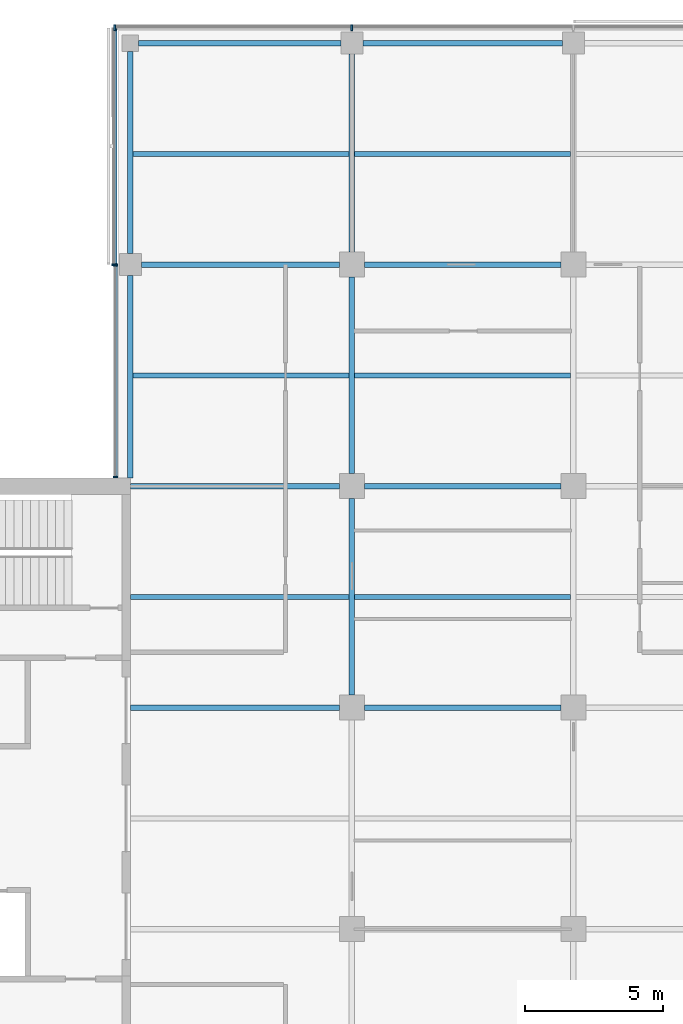
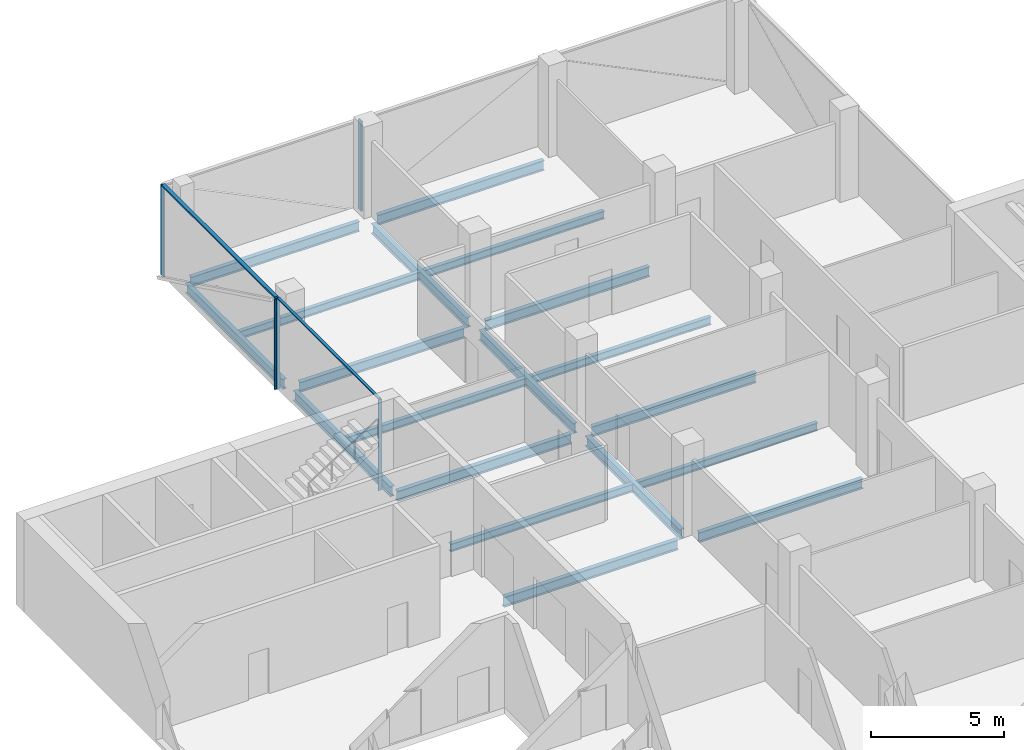
# One storey, part 5 of 15: 19 beams, 7 members, 3 elements without a shape of their own.
"""IFC4 building model written with IfcOpenShell, lengths in metres."""

from ifc_helpers import new_model, si_unit, direction, frame, origin, origin_2d, place, context, subcontext, project, spatial, rectangle, i_section, extrude, material, material_profile, profile_set, type_object, element, aggregate, save


model = new_model("IFC4")

# Units and contexts
model_context = context("Model", 3, precision=1e-05, world=origin(), true_north=direction((0.0, 1.0)))
body_context = subcontext(model_context, "Body", "Model", "MODEL_VIEW")
ifc_project = project(units=[si_unit("LENGTHUNIT", "METRE"), si_unit("AREAUNIT", "SQUARE_METRE"), si_unit("VOLUMEUNIT", "CUBIC_METRE"), si_unit("PLANEANGLEUNIT", "RADIAN"), si_unit("MASSUNIT", "GRAM", prefix="KILO")], contexts=[model_context])

# Site, building, storey
site_placement = place(None, origin())
site = spatial("IfcSite", under=ifc_project, at=site_placement, CompositionType="ELEMENT")
building_placement = place(site_placement, origin())
building = spatial("IfcBuilding", under=site, at=building_placement, Name="Crosswind Convention Tower", CompositionType="ELEMENT")
storey_placement = place(building_placement, frame((0.0, 0.0, 199.89990234375)))
storey = spatial("IfcBuildingStorey", under=building, at=storey_placement, Name="L42", CompositionType="ELEMENT", Elevation=199.89990234375)

# Beams
ifc_material_1 = material(Name="Steel S355", Category="steel")
ifc_material_profile_1 = material_profile(ifc_material_1, i_section(OverallWidth=0.18994140625, OverallDepth=0.45361328125, WebThickness=0.008544921875, FlangeThickness=0.0126953125, FilletRadius=0.01025390625, at=origin_2d()), Name="UB 457x191x67")
ifc_profile_set_1 = profile_set([ifc_material_profile_1], Name="Steel S355")
beam_type_1 = type_object("IfcBeamType", Name="Edge beam UB 457x191x67", PredefinedType="SPANDREL", material=ifc_profile_set_1)
for number, where, z_axis, x_axis, name in (
    (1, (113.0, 112.300048828125, -0.526611328125), (0.0, 1.0, 0.0), (-1.0, 0.0, 0.0), "B16 L42 edge beam 3"),
    (2, (113.0, 120.39990234375, -0.526611328125), (0.0, 1.0, 0.0), (-1.0, 0.0, 0.0), "B16 L42 edge beam 4"),
    (3, (113.300048828125, 128.0, -0.526611328125), (1.0, 0.0, 0.0), (0.0, 1.0, 0.0), "B16 L42 edge beam 6"),
):
    element("IfcBeam", number, at=place(storey_placement, frame(where, z_axis=z_axis, x_axis=x_axis)), inside=storey, type_object=beam_type_1, Name=name, PredefinedType="SPANDREL", context=body_context, shape_type="SweptSolid", body=[
        extrude(i_section(OverallWidth=0.18994140625, OverallDepth=0.45361328125, WebThickness=0.008544921875, FlangeThickness=0.0126953125, FilletRadius=0.01025390625, at=origin_2d()), origin(), (0.0, 0.0, 1.0), 7.300048828125),
    ])
beam_1_placement = place(storey_placement, frame((121.39990234375, 128.0, -0.526611328125), z_axis=(1.0, 0.0, 0.0), x_axis=(0.0, 1.0, 0.0)))
element("IfcBeam", 4, at=beam_1_placement, inside=storey, type_object=beam_type_1, Name="B16 L42 edge beam 8", PredefinedType="SPANDREL", context=body_context, shape_type="SweptSolid", body=[
    extrude(i_section(OverallWidth=0.18994140625, OverallDepth=0.45361328125, WebThickness=0.008544921875, FlangeThickness=0.0126953125, FilletRadius=0.01025390625, at=origin_2d()), origin(), (0.0, 0.0, 1.0), 7.2001953125),
])
ifc_material_profile_2 = material_profile(ifc_material_1, i_section(OverallWidth=0.1904296875, OverallDepth=0.457275390625, WebThickness=0.009033203125, FlangeThickness=0.014404296875, FilletRadius=0.01025390625, at=origin_2d()), Name="UB 457x191x75")
ifc_profile_set_2 = profile_set([ifc_material_profile_2], Name="Steel S355")
beam_type_2 = type_object("IfcBeamType", Name="Girder UB 457x191x75", PredefinedType="BEAM", material=ifc_profile_set_2)
beam_2_placement = place(storey_placement, frame((113.39990234375, 120.0, -0.528564453125), z_axis=(1.0, 0.0, 0.0), x_axis=(0.0, 1.0, 0.0)))
element("IfcBeam", 5, at=beam_2_placement, inside=storey, type_object=beam_type_2, Name="B2 L42 girder 2", PredefinedType="BEAM", context=body_context, shape_type="SweptSolid", body=[
    extrude(i_section(OverallWidth=0.1904296875, OverallDepth=0.457275390625, WebThickness=0.009033203125, FlangeThickness=0.014404296875, FilletRadius=0.01025390625, at=origin_2d()), origin(), (0.0, 0.0, 1.0), 7.150146484375),
])
for number, where, z_axis, x_axis, name in (
    (6, (121.0, 104.449951171875, -0.528564453125), (0.0, 1.0, 0.0), (-1.0, 0.0, 0.0), "B2 L42 girder 7"),
    (7, (121.0, 112.449951171875, -0.528564453125), (0.0, 1.0, 0.0), (-1.0, 0.0, 0.0), "B2 L42 girder 8"),
):
    element("IfcBeam", number, at=place(storey_placement, frame(where, z_axis=z_axis, x_axis=x_axis)), inside=storey, type_object=beam_type_2, Name=name, PredefinedType="BEAM", context=body_context, shape_type="SweptSolid", body=[
        extrude(i_section(OverallWidth=0.1904296875, OverallDepth=0.457275390625, WebThickness=0.009033203125, FlangeThickness=0.014404296875, FilletRadius=0.01025390625, at=origin_2d()), origin(), (0.0, 0.0, 1.0), 7.10009765625),
    ])
beam_3_placement = place(storey_placement, frame((121.0, 120.449951171875, -0.528564453125), z_axis=(0.0, 1.0, 0.0), x_axis=(-1.0, 0.0, 0.0)))
element("IfcBeam", 8, at=beam_3_placement, inside=storey, type_object=beam_type_2, Name="B2 L42 girder 9", PredefinedType="BEAM", context=body_context, shape_type="SweptSolid", body=[
    extrude(i_section(OverallWidth=0.1904296875, OverallDepth=0.457275390625, WebThickness=0.009033203125, FlangeThickness=0.014404296875, FilletRadius=0.01025390625, at=origin_2d()), origin(), (0.0, 0.0, 1.0), 7.150146484375),
])
for number, where, z_axis, x_axis, name in (
    (9, (121.449951171875, 104.0, -0.528564453125), (1.0, 0.0, 0.0), (0.0, 1.0, 0.0), "B2 L42 girder 13"),
    (10, (121.449951171875, 112.0, -0.528564453125), (1.0, 0.0, 0.0), (0.0, 1.0, 0.0), "B2 L42 girder 14"),
    (11, (121.449951171875, 120.0, -0.528564453125), (1.0, 0.0, 0.0), (0.0, 1.0, 0.0), "B2 L42 girder 15"),
):
    element("IfcBeam", number, at=place(storey_placement, frame(where, z_axis=z_axis, x_axis=x_axis)), inside=storey, type_object=beam_type_2, Name=name, PredefinedType="BEAM", context=body_context, shape_type="SweptSolid", body=[
        extrude(i_section(OverallWidth=0.1904296875, OverallDepth=0.457275390625, WebThickness=0.009033203125, FlangeThickness=0.014404296875, FilletRadius=0.01025390625, at=origin_2d()), origin(), (0.0, 0.0, 1.0), 7.10009765625),
    ])
ifc_material_profile_3 = material_profile(ifc_material_1, i_section(OverallWidth=0.19140625, OverallDepth=0.460205078125, WebThickness=0.010009765625, FlangeThickness=0.01611328125, FilletRadius=0.01025390625, at=origin_2d()), Name="UB 457x191x82")
ifc_profile_set_3 = profile_set([ifc_material_profile_3], Name="Steel S355")
beam_type_3 = type_object("IfcBeamType", Name="Girder at core wall UB 457x191x82", PredefinedType="BEAM", material=ifc_profile_set_3)
for number, where, z_axis, x_axis, name in (
    (12, (113.0, 104.0, -0.530029296875), (1.0, 0.0, 0.0), (0.0, 1.0, 0.0), "B23 L42 girder at core wall 3"),
    (13, (113.0, 112.0, -0.530029296875), (1.0, 0.0, 0.0), (0.0, 1.0, 0.0), "B23 L42 girder at core wall 4"),
):
    element("IfcBeam", number, at=place(storey_placement, frame(where, z_axis=z_axis, x_axis=x_axis)), inside=storey, type_object=beam_type_3, Name=name, PredefinedType="BEAM", context=body_context, shape_type="SweptSolid", body=[
        extrude(i_section(OverallWidth=0.19140625, OverallDepth=0.460205078125, WebThickness=0.010009765625, FlangeThickness=0.01611328125, FilletRadius=0.01025390625, at=origin_2d()), origin(), (0.0, 0.0, 1.0), 7.550048828125),
    ])

# Curtain wall, members
ifc_material_2 = material(Name="Aluminium unitised curtain wall", Category="aluminium")
curtain_wall_type_1 = type_object("IfcCurtainWallType", Name="CORE END SLOT WALL 160", PredefinedType="USERDEFINED", material=ifc_material_2)
curtain_wall_1_placement = place(storey_placement, origin())
curtain_wall_1 = element("IfcCurtainWall", 14, at=curtain_wall_1_placement, inside=storey, type_object=curtain_wall_type_1, Name="CW6 L42 N-W.1-2 slot", ObjectType="UNITISED", PredefinedType="USERDEFINED")
ifc_material_3 = material(Name="Aluminium mullion", Category="aluminium")
ifc_material_profile_4 = material_profile(ifc_material_3, rectangle(XDim=0.159912109375, YDim=0.050048828125, at=origin_2d()), Name="AL 160X50")
ifc_profile_set_4 = profile_set([ifc_material_profile_4], Name="Aluminium mullion")
member_type_1 = type_object("IfcMemberType", Name="MULLION 50X160", PredefinedType="MULLION", material=ifc_profile_set_4)
member_1_placement = place(storey_placement, frame((112.469970703125, 119.97509765625, -0.2998046875), z_axis=(0.0, 0.0, 1.0), x_axis=(-1.0, 0.0, 0.0)))
member_1 = element("IfcMember", 15, at=member_1_placement, type_object=member_type_1, Name="CW6 mullion 1", PredefinedType="MULLION", context=body_context, shape_type="SweptSolid", body=[
    extrude(rectangle(XDim=0.159912109375, YDim=0.050048828125, at=origin_2d()), origin(), (0.0, 0.0, 1.0), 4.14990234375),
])
member_2_placement = place(storey_placement, frame((112.469970703125, 112.324951171875, -0.2998046875), z_axis=(0.0, 0.0, 1.0), x_axis=(-1.0, 0.0, 0.0)))
member_2 = element("IfcMember", 16, at=member_2_placement, type_object=member_type_1, Name="CW6 mullion 2", PredefinedType="MULLION", context=body_context, shape_type="SweptSolid", body=[
    extrude(rectangle(XDim=0.159912109375, YDim=0.050048828125, at=origin_2d()), origin(), (0.0, 0.0, 1.0), 4.14990234375),
])

curtain_wall_type_2 = type_object("IfcCurtainWallType", Name="OFFICE UNITISED WALL 220", PredefinedType="USERDEFINED", material=ifc_material_2)
curtain_wall_2_placement = place(storey_placement, origin())
curtain_wall_2 = element("IfcCurtainWall", 17, at=curtain_wall_2_placement, inside=storey, type_object=curtain_wall_type_2, Name="CW3 L42 N-TIP 1", ObjectType="UNITISED", PredefinedType="USERDEFINED")
ifc_material_profile_5 = material_profile(ifc_material_3, rectangle(XDim=0.219970703125, YDim=0.070068359375, at=origin_2d()), Name="AL 220X70")
ifc_profile_set_5 = profile_set([ifc_material_profile_5], Name="Aluminium mullion")
member_type_2 = type_object("IfcMemberType", Name="MULLION 70X220", PredefinedType="MULLION", material=ifc_profile_set_5)
member_3_placement = place(storey_placement, frame((121.0, 128.56005859375, -0.2998046875), z_axis=(0.0, 0.0, 1.0), x_axis=(0.0, 1.0, 0.0)))
member_3 = element("IfcMember", 18, at=member_3_placement, type_object=member_type_2, Name="CW3 mullion 3", PredefinedType="MULLION", context=body_context, shape_type="SweptSolid", body=[
    extrude(rectangle(XDim=0.219970703125, YDim=0.070068359375, at=origin_2d()), origin(), (0.0, 0.0, 1.0), 4.1298828125),
])
member_4_placement = place(storey_placement, frame((112.43994140625, 128.56005859375, -0.2998046875), z_axis=(0.0, 0.0, 1.0), x_axis=(0.0, 1.0, 0.0)))
member_4 = element("IfcMember", 19, at=member_4_placement, type_object=member_type_2, Name="CW3 mullion 4", PredefinedType="MULLION", context=body_context, shape_type="SweptSolid", body=[
    extrude(rectangle(XDim=0.219970703125, YDim=0.070068359375, at=origin_2d()), origin(), (0.0, 0.0, 1.0), 4.1298828125),
])
aggregate(curtain_wall_2, [member_3, member_4])

# Curtain wall, member
curtain_wall_3_placement = place(storey_placement, origin())
curtain_wall_3 = element("IfcCurtainWall", 20, at=curtain_wall_3_placement, inside=storey, type_object=curtain_wall_type_2, Name="CW3 L42 N-W 1", ObjectType="UNITISED", PredefinedType="USERDEFINED")
member_5_placement = place(storey_placement, frame((112.43994140625, 120.0, -0.2998046875), z_axis=(0.0, 0.0, 1.0), x_axis=(-1.0, 0.0, 0.0)))
member_5 = element("IfcMember", 21, at=member_5_placement, type_object=member_type_2, Name="CW3 mullion 2", PredefinedType="MULLION", context=body_context, shape_type="SweptSolid", body=[
    extrude(rectangle(XDim=0.219970703125, YDim=0.070068359375, at=origin_2d()), origin(), (0.0, 0.0, 1.0), 4.1298828125),
])

# Beams
ifc_material_profile_6 = material_profile(ifc_material_1, i_section(OverallWidth=0.172119140625, OverallDepth=0.358642578125, WebThickness=0.008056640625, FlangeThickness=0.012939453125, FilletRadius=0.01025390625, at=origin_2d()), Name="UB 356x171x57")
ifc_profile_set_6 = profile_set([ifc_material_profile_6], Name="Steel S355")
beam_type_4 = type_object("IfcBeamType", Name="Secondary beam UB 356x171x57", PredefinedType="JOIST", material=ifc_profile_set_6)
beam_4_placement = place(storey_placement, frame((113.0, 108.0, -0.479248046875), z_axis=(1.0, 0.0, 0.0), x_axis=(0.0, 1.0, 0.0)))
element("IfcBeam", 22, at=beam_4_placement, inside=storey, type_object=beam_type_4, Name="B9 L42 secondary beam 3", PredefinedType="JOIST", context=body_context, shape_type="SweptSolid", body=[
    extrude(i_section(OverallWidth=0.172119140625, OverallDepth=0.358642578125, WebThickness=0.008056640625, FlangeThickness=0.012939453125, FilletRadius=0.01025390625, at=origin_2d()), origin(), (0.0, 0.0, 1.0), 7.90478515625),
])
for number, where, z_axis, x_axis, name in (
    (23, (113.094970703125, 116.0, -0.479248046875), (1.0, 0.0, 0.0), (0.0, 1.0, 0.0), "B9 L42 secondary beam 6"),
    (24, (113.094970703125, 124.0, -0.479248046875), (1.0, 0.0, 0.0), (0.0, 1.0, 0.0), "B9 L42 secondary beam 7"),
):
    element("IfcBeam", number, at=place(storey_placement, frame(where, z_axis=z_axis, x_axis=x_axis)), inside=storey, type_object=beam_type_4, Name=name, PredefinedType="JOIST", context=body_context, shape_type="SweptSolid", body=[
        extrude(i_section(OverallWidth=0.172119140625, OverallDepth=0.358642578125, WebThickness=0.008056640625, FlangeThickness=0.012939453125, FilletRadius=0.01025390625, at=origin_2d()), origin(), (0.0, 0.0, 1.0), 7.809814453125),
    ])
for number, where, z_axis, x_axis, name in (
    (25, (121.09521484375, 108.0, -0.479248046875), (1.0, 0.0, 0.0), (0.0, 1.0, 0.0), "B9 L42 secondary beam 12"),
    (26, (121.09521484375, 116.0, -0.479248046875), (1.0, 0.0, 0.0), (0.0, 1.0, 0.0), "B9 L42 secondary beam 13"),
    (27, (121.09521484375, 124.0, -0.479248046875), (1.0, 0.0, 0.0), (0.0, 1.0, 0.0), "B9 L42 secondary beam 14"),
):
    element("IfcBeam", number, at=place(storey_placement, frame(where, z_axis=z_axis, x_axis=x_axis)), inside=storey, type_object=beam_type_4, Name=name, PredefinedType="JOIST", context=body_context, shape_type="SweptSolid", body=[
        extrude(i_section(OverallWidth=0.172119140625, OverallDepth=0.358642578125, WebThickness=0.008056640625, FlangeThickness=0.012939453125, FilletRadius=0.01025390625, at=origin_2d()), origin(), (0.0, 0.0, 1.0), 7.8095703125),
    ])

# Member
ifc_material_4 = material(Name="Aluminium transom", Category="aluminium")
ifc_material_profile_7 = material_profile(ifc_material_4, rectangle(XDim=0.1201171875, YDim=0.050048828125, at=origin_2d()), Name="AL 120X50")
ifc_profile_set_7 = profile_set([ifc_material_profile_7], Name="Aluminium transom")
member_type_3 = type_object("IfcMemberType", Name="TRANSOM 50X120", PredefinedType="USERDEFINED", material=ifc_profile_set_7)
member_6_placement = place(storey_placement, frame((112.469970703125, 119.949951171875, 3.875), z_axis=(0.0, -1.0, 0.0), x_axis=(1.0, 0.0, 0.0)))
member_6 = element("IfcMember", 28, at=member_6_placement, type_object=member_type_3, Name="CW6 transom", ObjectType="TRANSOM", PredefinedType="USERDEFINED", context=body_context, shape_type="SweptSolid", body=[
    extrude(rectangle(XDim=0.1201171875, YDim=0.050048828125, at=origin_2d()), origin(), (0.0, 0.0, 1.0), 7.599853515625),
])

aggregate(curtain_wall_1, [member_1, member_2, member_6])

ifc_material_profile_8 = material_profile(ifc_material_4, rectangle(XDim=0.159912109375, YDim=0.070068359375, at=origin_2d()), Name="AL 160X70")
ifc_profile_set_8 = profile_set([ifc_material_profile_8], Name="Aluminium transom")
member_type_4 = type_object("IfcMemberType", Name="TRANSOM 70X160", PredefinedType="USERDEFINED", material=ifc_profile_set_8)
member_7_placement = place(storey_placement, frame((112.43994140625, 128.52490234375, 3.864990234375), z_axis=(0.0, -1.0, 0.0), x_axis=(1.0, 0.0, 0.0)))
member_7 = element("IfcMember", 29, at=member_7_placement, type_object=member_type_4, Name="CW3 transom", ObjectType="TRANSOM", PredefinedType="USERDEFINED", context=body_context, shape_type="SweptSolid", body=[
    extrude(rectangle(XDim=0.159912109375, YDim=0.070068359375, at=origin_2d()), origin(), (0.0, 0.0, 1.0), 8.489990234375),
])

aggregate(curtain_wall_3, [member_5, member_7])

save(model, "model.ifc")
